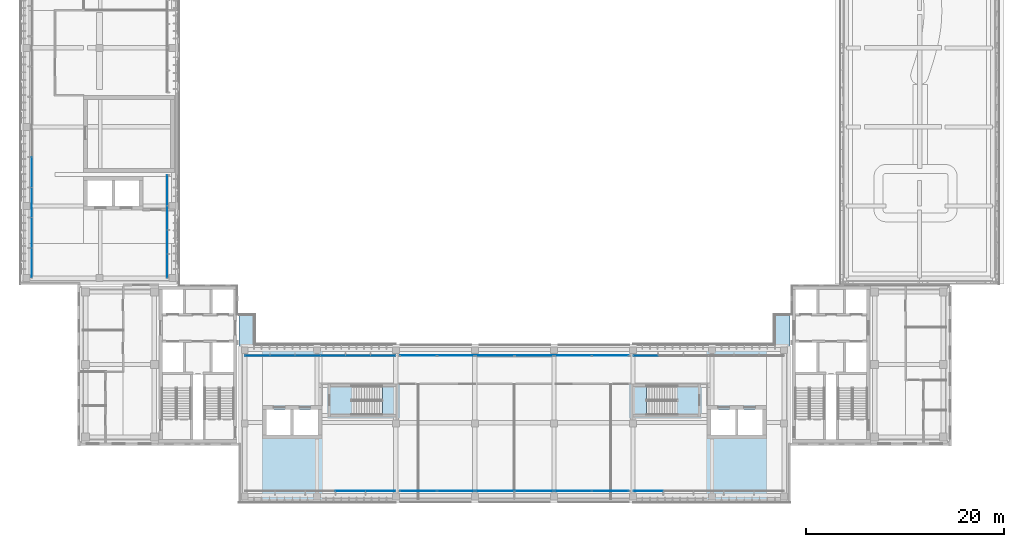
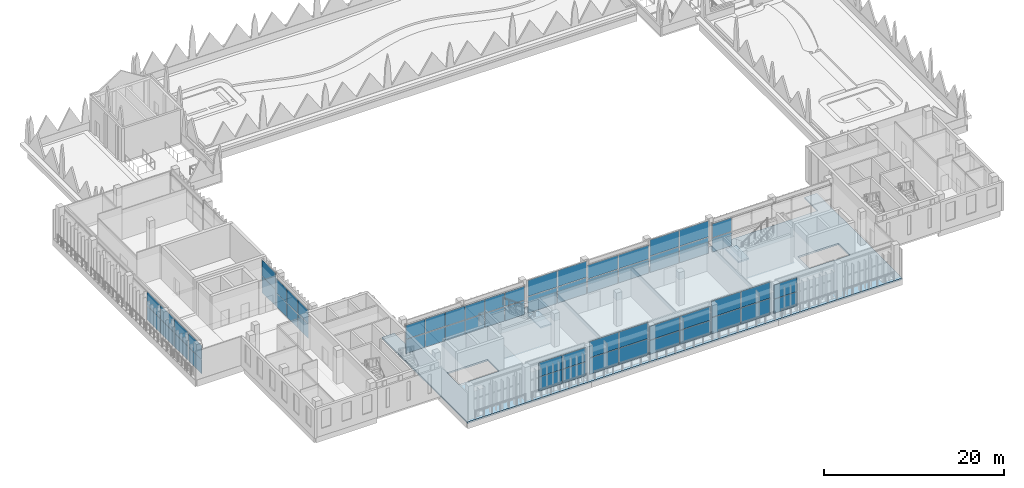
# One storey, part 20 of 46: 60 plates, 3 slabs, 15 elements without a shape of their own.
"""IFC4 building model written with IfcOpenShell, lengths in metres."""

from ifc_helpers import new_model, si_unit, direction, frame, origin, origin_2d, place, context, subcontext, project, spatial, polyline, rectangle, outline, extrude, material, layer, layer_set, type_object, element, aggregate, save


model = new_model("IFC4")

# Units and contexts
model_context = context("Model", 3, precision=1e-05, world=origin(), true_north=direction((0.0, 1.0)))
body_context = subcontext(model_context, "Body", "Model", "MODEL_VIEW")
ifc_project = project(units=[si_unit("LENGTHUNIT", "METRE"), si_unit("AREAUNIT", "SQUARE_METRE"), si_unit("VOLUMEUNIT", "CUBIC_METRE"), si_unit("PLANEANGLEUNIT", "RADIAN"), si_unit("MASSUNIT", "GRAM", prefix="KILO")], contexts=[model_context])

# Site, building, storey
site_placement = place(None, origin())
site = spatial("IfcSite", under=ifc_project, at=site_placement, CompositionType="ELEMENT")
building_placement = place(site_placement, origin())
building = spatial("IfcBuilding", under=site, at=building_placement, Name="Lantern Court Media Centre", CompositionType="ELEMENT")
storey_placement = place(building_placement, frame((0.0, 0.0, 28.800048828125)))
storey = spatial("IfcBuildingStorey", under=building, at=storey_placement, Name="L06", CompositionType="ELEMENT", Elevation=28.800048828125)

# Curtain wall, plates
ifc_material_1 = material(Name="Curtain wall bay 2400")
curtain_wall_type_1 = type_object("IfcCurtainWallType", Name="Curtain wall bay 2400", PredefinedType="NOTDEFINED", material=ifc_material_1)
curtain_wall_1_placement = place(storey_placement, origin())
curtain_wall_1 = element("IfcCurtainWall", 1, at=curtain_wall_1_placement, inside=storey, type_object=curtain_wall_type_1, Name="Curtain wall S inner L06", PredefinedType="NOTDEFINED")
ifc_material_2 = material(Name="Low-iron double glazed unit glass", Category="glass")
ifc_layer_1 = layer(ifc_material_2, 0.02392578125)
ifc_layer_set_1 = layer_set([ifc_layer_1], Name="Low-iron double glazed unit glass")
plate_type_1 = type_object("IfcPlateType", Name="Curtain wall glazing unit 24", PredefinedType="CURTAIN_PANEL", material=ifc_layer_set_1)
plate_1_placement = place(storey_placement, frame((25.987548828125, 56.85009765625, 0.050048828125), z_axis=(0.0, 0.0, 1.0), x_axis=(1.0, 0.0, 0.0)))
plate_1 = element("IfcPlate", 2, at=plate_1_placement, type_object=plate_type_1, Name="CW2 panel 1.1", PredefinedType="CURTAIN_PANEL", context=body_context, shape_type="SweptSolid", body=[
    extrude(rectangle(XDim=2.47509765625, YDim=0.02392578125, at=origin_2d()), origin(), (0.0, 0.0, 1.0), 1.89990234375),
])
plate_2_placement = place(storey_placement, frame((25.987548828125, 56.85009765625, 2.0), z_axis=(0.0, 0.0, 1.0), x_axis=(1.0, 0.0, 0.0)))
plate_2 = element("IfcPlate", 3, at=plate_2_placement, type_object=plate_type_1, Name="CW2 panel 1.2", PredefinedType="CURTAIN_PANEL", context=body_context, shape_type="SweptSolid", body=[
    extrude(rectangle(XDim=2.47509765625, YDim=0.02392578125, at=origin_2d()), origin(), (0.0, 0.0, 1.0), 1.89990234375),
])
plate_3_placement = place(storey_placement, frame((28.52490234375, 56.85009765625, 0.050048828125), z_axis=(0.0, 0.0, 1.0), x_axis=(1.0, 0.0, 0.0)))
plate_3 = element("IfcPlate", 4, at=plate_3_placement, type_object=plate_type_1, Name="CW2 panel 2.1", PredefinedType="CURTAIN_PANEL", context=body_context, shape_type="SweptSolid", body=[
    extrude(rectangle(XDim=2.5, YDim=0.02392578125, at=origin_2d()), origin(), (0.0, 0.0, 1.0), 1.89990234375),
])
plate_4_placement = place(storey_placement, frame((28.52490234375, 56.85009765625, 2.0), z_axis=(0.0, 0.0, 1.0), x_axis=(1.0, 0.0, 0.0)))
plate_4 = element("IfcPlate", 5, at=plate_4_placement, type_object=plate_type_1, Name="CW2 panel 2.2", PredefinedType="CURTAIN_PANEL", context=body_context, shape_type="SweptSolid", body=[
    extrude(rectangle(XDim=2.5, YDim=0.02392578125, at=origin_2d()), origin(), (0.0, 0.0, 1.0), 1.89990234375),
])
plate_5_placement = place(storey_placement, frame((31.074951171875, 56.85009765625, 0.050048828125), z_axis=(0.0, 0.0, 1.0), x_axis=(1.0, 0.0, 0.0)))
plate_5 = element("IfcPlate", 6, at=plate_5_placement, type_object=plate_type_1, Name="CW2 panel 3.1", PredefinedType="CURTAIN_PANEL", context=body_context, shape_type="SweptSolid", body=[
    extrude(rectangle(XDim=2.5, YDim=0.02392578125, at=origin_2d()), origin(), (0.0, 0.0, 1.0), 1.89990234375),
])
plate_6_placement = place(storey_placement, frame((31.074951171875, 56.85009765625, 2.0), z_axis=(0.0, 0.0, 1.0), x_axis=(1.0, 0.0, 0.0)))
plate_6 = element("IfcPlate", 7, at=plate_6_placement, type_object=plate_type_1, Name="CW2 panel 3.2", PredefinedType="CURTAIN_PANEL", context=body_context, shape_type="SweptSolid", body=[
    extrude(rectangle(XDim=2.5, YDim=0.02392578125, at=origin_2d()), origin(), (0.0, 0.0, 1.0), 1.89990234375),
])
plate_7_placement = place(storey_placement, frame((33.625, 56.85009765625, 0.050048828125), z_axis=(0.0, 0.0, 1.0), x_axis=(1.0, 0.0, 0.0)))
plate_7 = element("IfcPlate", 8, at=plate_7_placement, type_object=plate_type_1, Name="CW2 panel 4.1", PredefinedType="CURTAIN_PANEL", context=body_context, shape_type="SweptSolid", body=[
    extrude(rectangle(XDim=2.5, YDim=0.02392578125, at=origin_2d()), origin(), (0.0, 0.0, 1.0), 1.89990234375),
])
plate_8_placement = place(storey_placement, frame((33.625, 56.85009765625, 2.0), z_axis=(0.0, 0.0, 1.0), x_axis=(1.0, 0.0, 0.0)))
plate_8 = element("IfcPlate", 9, at=plate_8_placement, type_object=plate_type_1, Name="CW2 panel 4.2", PredefinedType="CURTAIN_PANEL", context=body_context, shape_type="SweptSolid", body=[
    extrude(rectangle(XDim=2.5, YDim=0.02392578125, at=origin_2d()), origin(), (0.0, 0.0, 1.0), 1.89990234375),
])
plate_9_placement = place(storey_placement, frame((36.175048828125, 56.85009765625, 0.050048828125), z_axis=(0.0, 0.0, 1.0), x_axis=(1.0, 0.0, 0.0)))
plate_9 = element("IfcPlate", 10, at=plate_9_placement, type_object=plate_type_1, Name="CW2 panel 5.1", PredefinedType="CURTAIN_PANEL", context=body_context, shape_type="SweptSolid", body=[
    extrude(rectangle(XDim=2.5, YDim=0.02392578125, at=origin_2d()), origin(), (0.0, 0.0, 1.0), 1.89990234375),
])
plate_10_placement = place(storey_placement, frame((36.175048828125, 56.85009765625, 2.0), z_axis=(0.0, 0.0, 1.0), x_axis=(1.0, 0.0, 0.0)))
plate_10 = element("IfcPlate", 11, at=plate_10_placement, type_object=plate_type_1, Name="CW2 panel 5.2", PredefinedType="CURTAIN_PANEL", context=body_context, shape_type="SweptSolid", body=[
    extrude(rectangle(XDim=2.5, YDim=0.02392578125, at=origin_2d()), origin(), (0.0, 0.0, 1.0), 1.89990234375),
])
plate_11_placement = place(storey_placement, frame((38.71240234375, 56.85009765625, 0.050048828125), z_axis=(0.0, 0.0, 1.0), x_axis=(1.0, 0.0, 0.0)))
plate_11 = element("IfcPlate", 12, at=plate_11_placement, type_object=plate_type_1, Name="CW2 panel 6.1", PredefinedType="CURTAIN_PANEL", context=body_context, shape_type="SweptSolid", body=[
    extrude(rectangle(XDim=2.47509765625, YDim=0.02392578125, at=origin_2d()), origin(), (0.0, 0.0, 1.0), 1.89990234375),
])
plate_12_placement = place(storey_placement, frame((38.71240234375, 56.85009765625, 2.0), z_axis=(0.0, 0.0, 1.0), x_axis=(1.0, 0.0, 0.0)))
plate_12 = element("IfcPlate", 13, at=plate_12_placement, type_object=plate_type_1, Name="CW2 panel 6.2", PredefinedType="CURTAIN_PANEL", context=body_context, shape_type="SweptSolid", body=[
    extrude(rectangle(XDim=2.47509765625, YDim=0.02392578125, at=origin_2d()), origin(), (0.0, 0.0, 1.0), 1.89990234375),
])
aggregate(curtain_wall_1, [plate_1, plate_2, plate_3, plate_4, plate_5, plate_6, plate_7, plate_8, plate_9, plate_10, plate_11, plate_12])

curtain_wall_2_placement = place(storey_placement, origin())
curtain_wall_2 = element("IfcCurtainWall", 14, at=curtain_wall_2_placement, inside=storey, type_object=curtain_wall_type_1, Name="Curtain wall S inner L06", PredefinedType="NOTDEFINED")
plate_13_placement = place(storey_placement, frame((65.28759765625, 56.85009765625, 0.050048828125), z_axis=(0.0, 0.0, 1.0), x_axis=(1.0, 0.0, 0.0)))
plate_13 = element("IfcPlate", 15, at=plate_13_placement, type_object=plate_type_1, Name="CW2 panel 1.1", PredefinedType="CURTAIN_PANEL", context=body_context, shape_type="SweptSolid", body=[
    extrude(rectangle(XDim=2.47509765625, YDim=0.02392578125, at=origin_2d()), origin(), (0.0, 0.0, 1.0), 1.89990234375),
])
plate_14_placement = place(storey_placement, frame((65.28759765625, 56.85009765625, 2.0), z_axis=(0.0, 0.0, 1.0), x_axis=(1.0, 0.0, 0.0)))
plate_14 = element("IfcPlate", 16, at=plate_14_placement, type_object=plate_type_1, Name="CW2 panel 1.2", PredefinedType="CURTAIN_PANEL", context=body_context, shape_type="SweptSolid", body=[
    extrude(rectangle(XDim=2.47509765625, YDim=0.02392578125, at=origin_2d()), origin(), (0.0, 0.0, 1.0), 1.89990234375),
])
aggregate(curtain_wall_2, [plate_13, plate_14])

curtain_wall_3_placement = place(storey_placement, origin())
curtain_wall_3 = element("IfcCurtainWall", 17, at=curtain_wall_3_placement, inside=storey, type_object=curtain_wall_type_1, Name="Curtain wall W inner L06", PredefinedType="NOTDEFINED")
plate_15_placement = place(storey_placement, frame((16.85009765625, 65.92919921875, 0.050048828125), z_axis=(0.0, 0.0, 1.0), x_axis=(0.0, 1.0, 0.0)))
plate_15 = element("IfcPlate", 18, at=plate_15_placement, type_object=plate_type_1, Name="CW2 panel 1.1", PredefinedType="CURTAIN_PANEL", context=body_context, shape_type="SweptSolid", body=[
    extrude(rectangle(XDim=2.3583984375, YDim=0.02392578125, at=origin_2d()), origin(), (0.0, 0.0, 1.0), 1.89990234375),
])
plate_16_placement = place(storey_placement, frame((16.85009765625, 65.92919921875, 2.0), z_axis=(0.0, 0.0, 1.0), x_axis=(0.0, 1.0, 0.0)))
plate_16 = element("IfcPlate", 19, at=plate_16_placement, type_object=plate_type_1, Name="CW2 panel 1.2", PredefinedType="CURTAIN_PANEL", context=body_context, shape_type="SweptSolid", body=[
    extrude(rectangle(XDim=2.3583984375, YDim=0.02392578125, at=origin_2d()), origin(), (0.0, 0.0, 1.0), 1.89990234375),
])
plate_17_placement = place(storey_placement, frame((16.85009765625, 68.35009765625, 0.050048828125), z_axis=(0.0, 0.0, 1.0), x_axis=(0.0, 1.0, 0.0)))
plate_17 = element("IfcPlate", 20, at=plate_17_placement, type_object=plate_type_1, Name="CW2 panel 2.1", PredefinedType="CURTAIN_PANEL", context=body_context, shape_type="SweptSolid", body=[
    extrude(rectangle(XDim=2.38330078125, YDim=0.02392578125, at=origin_2d()), origin(), (0.0, 0.0, 1.0), 1.89990234375),
])
plate_18_placement = place(storey_placement, frame((16.85009765625, 68.35009765625, 2.0), z_axis=(0.0, 0.0, 1.0), x_axis=(0.0, 1.0, 0.0)))
plate_18 = element("IfcPlate", 21, at=plate_18_placement, type_object=plate_type_1, Name="CW2 panel 2.2", PredefinedType="CURTAIN_PANEL", context=body_context, shape_type="SweptSolid", body=[
    extrude(rectangle(XDim=2.38330078125, YDim=0.02392578125, at=origin_2d()), origin(), (0.0, 0.0, 1.0), 1.89990234375),
])
plate_19_placement = place(storey_placement, frame((16.85009765625, 70.770751953125, 0.050048828125), z_axis=(0.0, 0.0, 1.0), x_axis=(0.0, 1.0, 0.0)))
plate_19 = element("IfcPlate", 22, at=plate_19_placement, type_object=plate_type_1, Name="CW2 panel 3.1", PredefinedType="CURTAIN_PANEL", context=body_context, shape_type="SweptSolid", body=[
    extrude(rectangle(XDim=2.3583984375, YDim=0.02392578125, at=origin_2d()), origin(), (0.0, 0.0, 1.0), 1.89990234375),
])
plate_20_placement = place(storey_placement, frame((16.85009765625, 70.770751953125, 2.0), z_axis=(0.0, 0.0, 1.0), x_axis=(0.0, 1.0, 0.0)))
plate_20 = element("IfcPlate", 23, at=plate_20_placement, type_object=plate_type_1, Name="CW2 panel 3.2", PredefinedType="CURTAIN_PANEL", context=body_context, shape_type="SweptSolid", body=[
    extrude(rectangle(XDim=2.3583984375, YDim=0.02392578125, at=origin_2d()), origin(), (0.0, 0.0, 1.0), 1.89990234375),
])
aggregate(curtain_wall_3, [plate_15, plate_16, plate_17, plate_18, plate_19, plate_20])

curtain_wall_4_placement = place(storey_placement, origin())
curtain_wall_4 = element("IfcCurtainWall", 24, at=curtain_wall_4_placement, inside=storey, type_object=curtain_wall_type_1, Name="Curtain wall W inner L06", PredefinedType="NOTDEFINED")
plate_21_placement = place(storey_placement, frame((16.85009765625, 73.574951171875, 0.0498046875), z_axis=(0.0, 0.0, 1.0), x_axis=(0.0, 1.0, 0.0)))
plate_21 = element("IfcPlate", 25, at=plate_21_placement, type_object=plate_type_1, Name="CW2 panel 1.1", PredefinedType="CURTAIN_PANEL", context=body_context, shape_type="SweptSolid", body=[
    extrude(rectangle(XDim=3.050048828125, YDim=0.02392578125, at=origin_2d()), origin(), (0.0, 0.0, 1.0), 2.215087890625),
])
plate_22_placement = place(storey_placement, frame((16.85009765625, 73.574951171875, 2.31494140625), z_axis=(0.0, 0.0, 1.0), x_axis=(0.0, 1.0, 0.0)))
plate_22 = element("IfcPlate", 26, at=plate_22_placement, type_object=plate_type_1, Name="CW2 panel 1.2", PredefinedType="CURTAIN_PANEL", context=body_context, shape_type="SweptSolid", body=[
    extrude(rectangle(XDim=3.050048828125, YDim=0.02392578125, at=origin_2d()), origin(), (0.0, 0.0, 1.0), 2.215087890625),
])
aggregate(curtain_wall_4, [plate_21, plate_22])

ifc_material_3 = material(Name="Curtain wall bay 3000")
curtain_wall_type_2 = type_object("IfcCurtainWallType", Name="Curtain wall bay 3000", PredefinedType="NOTDEFINED", material=ifc_material_3)
curtain_wall_5_placement = place(storey_placement, origin())
curtain_wall_5 = element("IfcCurtainWall", 27, at=curtain_wall_5_placement, inside=storey, type_object=curtain_wall_type_2, Name="Curtain wall S outer L06", PredefinedType="NOTDEFINED")
ifc_layer_2 = layer(ifc_material_2, 0.028076171875)
ifc_layer_set_2 = layer_set([ifc_layer_2], Name="Low-iron double glazed unit glass")
plate_type_2 = type_object("IfcPlateType", Name="Curtain wall glazing unit 28", PredefinedType="CURTAIN_PANEL", material=ifc_layer_set_2)
plate_23_placement = place(storey_placement, frame((35.409912109375, 43.14990234375, 0.06005859375), z_axis=(0.0, 0.0, 1.0), x_axis=(1.0, 0.0, 0.0)))
plate_23 = element("IfcPlate", 28, at=plate_23_placement, type_object=plate_type_2, Name="CW1 panel 4.1", PredefinedType="CURTAIN_PANEL", context=body_context, shape_type="SweptSolid", body=[
    extrude(rectangle(XDim=3.0, YDim=0.028076171875, at=origin_2d()), origin(), (0.0, 0.0, 1.0), 1.885009765625),
])
plate_24_placement = place(storey_placement, frame((35.409912109375, 43.14990234375, 2.0048828125), z_axis=(0.0, 0.0, 1.0), x_axis=(1.0, 0.0, 0.0)))
plate_24 = element("IfcPlate", 29, at=plate_24_placement, type_object=plate_type_2, Name="CW1 panel 4.2", PredefinedType="CURTAIN_PANEL", context=body_context, shape_type="SweptSolid", body=[
    extrude(rectangle(XDim=3.0, YDim=0.028076171875, at=origin_2d()), origin(), (0.0, 0.0, 1.0), 1.885009765625),
])
plate_25_placement = place(storey_placement, frame((38.455078125, 43.14990234375, 0.06005859375), z_axis=(0.0, 0.0, 1.0), x_axis=(1.0, 0.0, 0.0)))
plate_25 = element("IfcPlate", 30, at=plate_25_placement, type_object=plate_type_2, Name="CW1 panel 5.1", PredefinedType="CURTAIN_PANEL", context=body_context, shape_type="SweptSolid", body=[
    extrude(rectangle(XDim=2.969970703125, YDim=0.028076171875, at=origin_2d()), origin(), (0.0, 0.0, 1.0), 1.885009765625),
])
plate_26_placement = place(storey_placement, frame((38.455078125, 43.14990234375, 2.0048828125), z_axis=(0.0, 0.0, 1.0), x_axis=(1.0, 0.0, 0.0)))
plate_26 = element("IfcPlate", 31, at=plate_26_placement, type_object=plate_type_2, Name="CW1 panel 5.2", PredefinedType="CURTAIN_PANEL", context=body_context, shape_type="SweptSolid", body=[
    extrude(rectangle(XDim=2.969970703125, YDim=0.028076171875, at=origin_2d()), origin(), (0.0, 0.0, 1.0), 1.885009765625),
])
aggregate(curtain_wall_5, [plate_23, plate_24, plate_25, plate_26])

curtain_wall_6_placement = place(storey_placement, origin())
curtain_wall_6 = element("IfcCurtainWall", 32, at=curtain_wall_6_placement, inside=storey, type_object=curtain_wall_type_2, Name="Curtain wall S outer L06", PredefinedType="NOTDEFINED")
plate_27_placement = place(storey_placement, frame((65.544921875, 43.14990234375, 0.06005859375), z_axis=(0.0, 0.0, 1.0), x_axis=(1.0, 0.0, 0.0)))
plate_27 = element("IfcPlate", 33, at=plate_27_placement, type_object=plate_type_2, Name="CW1 panel 1.1", PredefinedType="CURTAIN_PANEL", context=body_context, shape_type="SweptSolid", body=[
    extrude(rectangle(XDim=2.969970703125, YDim=0.028076171875, at=origin_2d()), origin(), (0.0, 0.0, 1.0), 1.885009765625),
])
plate_28_placement = place(storey_placement, frame((65.544921875, 43.14990234375, 2.0048828125), z_axis=(0.0, 0.0, 1.0), x_axis=(1.0, 0.0, 0.0)))
plate_28 = element("IfcPlate", 34, at=plate_28_placement, type_object=plate_type_2, Name="CW1 panel 1.2", PredefinedType="CURTAIN_PANEL", context=body_context, shape_type="SweptSolid", body=[
    extrude(rectangle(XDim=2.969970703125, YDim=0.028076171875, at=origin_2d()), origin(), (0.0, 0.0, 1.0), 1.885009765625),
])
aggregate(curtain_wall_6, [plate_27, plate_28])

curtain_wall_7_placement = place(storey_placement, origin())
curtain_wall_7 = element("IfcCurtainWall", 35, at=curtain_wall_7_placement, inside=storey, type_object=curtain_wall_type_2, Name="Curtain wall W outer L06", PredefinedType="NOTDEFINED")
plate_29_placement = place(storey_placement, frame((3.14990234375, 66.2451171875, 0.06005859375), z_axis=(0.0, 0.0, 1.0), x_axis=(0.0, 1.0, 0.0)))
plate_29 = element("IfcPlate", 36, at=plate_29_placement, type_object=plate_type_2, Name="CW1 panel 1.1", PredefinedType="CURTAIN_PANEL", context=body_context, shape_type="SweptSolid", body=[
    extrude(rectangle(XDim=2.969970703125, YDim=0.028076171875, at=origin_2d()), origin(), (0.0, 0.0, 1.0), 1.885009765625),
])
plate_30_placement = place(storey_placement, frame((3.14990234375, 66.2451171875, 2.0048828125), z_axis=(0.0, 0.0, 1.0), x_axis=(0.0, 1.0, 0.0)))
plate_30 = element("IfcPlate", 37, at=plate_30_placement, type_object=plate_type_2, Name="CW1 panel 1.2", PredefinedType="CURTAIN_PANEL", context=body_context, shape_type="SweptSolid", body=[
    extrude(rectangle(XDim=2.969970703125, YDim=0.028076171875, at=origin_2d()), origin(), (0.0, 0.0, 1.0), 1.885009765625),
])
plate_31_placement = place(storey_placement, frame((3.14990234375, 69.2900390625, 0.06005859375), z_axis=(0.0, 0.0, 1.0), x_axis=(0.0, 1.0, 0.0)))
plate_31 = element("IfcPlate", 38, at=plate_31_placement, type_object=plate_type_2, Name="CW1 panel 2.1", PredefinedType="CURTAIN_PANEL", context=body_context, shape_type="SweptSolid", body=[
    extrude(rectangle(XDim=3.0, YDim=0.028076171875, at=origin_2d()), origin(), (0.0, 0.0, 1.0), 1.885009765625),
])
plate_32_placement = place(storey_placement, frame((3.14990234375, 69.2900390625, 2.0048828125), z_axis=(0.0, 0.0, 1.0), x_axis=(0.0, 1.0, 0.0)))
plate_32 = element("IfcPlate", 39, at=plate_32_placement, type_object=plate_type_2, Name="CW1 panel 2.2", PredefinedType="CURTAIN_PANEL", context=body_context, shape_type="SweptSolid", body=[
    extrude(rectangle(XDim=3.0, YDim=0.028076171875, at=origin_2d()), origin(), (0.0, 0.0, 1.0), 1.885009765625),
])
plate_33_placement = place(storey_placement, frame((3.14990234375, 72.35009765625, 0.06005859375), z_axis=(0.0, 0.0, 1.0), x_axis=(0.0, 1.0, 0.0)))
plate_33 = element("IfcPlate", 40, at=plate_33_placement, type_object=plate_type_2, Name="CW1 panel 3.1", PredefinedType="CURTAIN_PANEL", context=body_context, shape_type="SweptSolid", body=[
    extrude(rectangle(XDim=3.0, YDim=0.028076171875, at=origin_2d()), origin(), (0.0, 0.0, 1.0), 1.885009765625),
])
plate_34_placement = place(storey_placement, frame((3.14990234375, 72.35009765625, 2.0048828125), z_axis=(0.0, 0.0, 1.0), x_axis=(0.0, 1.0, 0.0)))
plate_34 = element("IfcPlate", 41, at=plate_34_placement, type_object=plate_type_2, Name="CW1 panel 3.2", PredefinedType="CURTAIN_PANEL", context=body_context, shape_type="SweptSolid", body=[
    extrude(rectangle(XDim=3.0, YDim=0.028076171875, at=origin_2d()), origin(), (0.0, 0.0, 1.0), 1.885009765625),
])
plate_35_placement = place(storey_placement, frame((3.14990234375, 75.409912109375, 0.06005859375), z_axis=(0.0, 0.0, 1.0), x_axis=(0.0, 1.0, 0.0)))
plate_35 = element("IfcPlate", 42, at=plate_35_placement, type_object=plate_type_2, Name="CW1 panel 4.1", PredefinedType="CURTAIN_PANEL", context=body_context, shape_type="SweptSolid", body=[
    extrude(rectangle(XDim=3.0, YDim=0.028076171875, at=origin_2d()), origin(), (0.0, 0.0, 1.0), 1.885009765625),
])
plate_36_placement = place(storey_placement, frame((3.14990234375, 75.409912109375, 2.0048828125), z_axis=(0.0, 0.0, 1.0), x_axis=(0.0, 1.0, 0.0)))
plate_36 = element("IfcPlate", 43, at=plate_36_placement, type_object=plate_type_2, Name="CW1 panel 4.2", PredefinedType="CURTAIN_PANEL", context=body_context, shape_type="SweptSolid", body=[
    extrude(rectangle(XDim=3.0, YDim=0.028076171875, at=origin_2d()), origin(), (0.0, 0.0, 1.0), 1.885009765625),
])
aggregate(curtain_wall_7, [plate_29, plate_30, plate_31, plate_32, plate_33, plate_34, plate_35, plate_36])

ifc_material_4 = material(Name="Curtain wall bay 4000")
curtain_wall_type_3 = type_object("IfcCurtainWallType", Name="Curtain wall bay 4000", PredefinedType="NOTDEFINED", material=ifc_material_4)
curtain_wall_8_placement = place(storey_placement, origin())
curtain_wall_8 = element("IfcCurtainWall", 44, at=curtain_wall_8_placement, inside=storey, type_object=curtain_wall_type_3, Name="Curtain wall S outer L06", PredefinedType="NOTDEFINED")
ifc_material_5 = material(Name="Laminated low-iron glass", Category="glass")
ifc_layer_3 = layer(ifc_material_5, 0.0400390625)
ifc_layer_set_3 = layer_set([ifc_layer_3], Name="Laminated low-iron glass")
plate_type_3 = type_object("IfcPlateType", Name="Curtain wall glazing unit 40", PredefinedType="CURTAIN_PANEL", material=ifc_layer_set_3)
plate_37_placement = place(storey_placement, frame((42.282470703125, 43.14990234375, 0.080078125), z_axis=(0.0, 0.0, 1.0), x_axis=(1.0, 0.0, 0.0)))
plate_37 = element("IfcPlate", 45, at=plate_37_placement, type_object=plate_type_3, Name="CW3 panel 1.1", PredefinedType="CURTAIN_PANEL", context=body_context, shape_type="SweptSolid", body=[
    extrude(rectangle(XDim=3.705078125, YDim=0.0400390625, at=origin_2d()), origin(), (0.0, 0.0, 1.0), 2.169921875),
])
plate_38_placement = place(storey_placement, frame((42.282470703125, 43.14990234375, 2.330078125), z_axis=(0.0, 0.0, 1.0), x_axis=(1.0, 0.0, 0.0)))
plate_38 = element("IfcPlate", 46, at=plate_38_placement, type_object=plate_type_3, Name="CW3 panel 1.2", PredefinedType="CURTAIN_PANEL", context=body_context, shape_type="SweptSolid", body=[
    extrude(rectangle(XDim=3.705078125, YDim=0.0400390625, at=origin_2d()), origin(), (0.0, 0.0, 1.0), 2.169921875),
])
plate_39_placement = place(storey_placement, frame((46.0673828125, 43.14990234375, 0.080078125), z_axis=(0.0, 0.0, 1.0), x_axis=(1.0, 0.0, 0.0)))
plate_39 = element("IfcPlate", 47, at=plate_39_placement, type_object=plate_type_3, Name="CW3 panel 2.1", PredefinedType="CURTAIN_PANEL", context=body_context, shape_type="SweptSolid", body=[
    extrude(rectangle(XDim=3.705078125, YDim=0.0400390625, at=origin_2d()), origin(), (0.0, 0.0, 1.0), 2.169921875),
])
plate_40_placement = place(storey_placement, frame((46.0673828125, 43.14990234375, 2.330078125), z_axis=(0.0, 0.0, 1.0), x_axis=(1.0, 0.0, 0.0)))
plate_40 = element("IfcPlate", 48, at=plate_40_placement, type_object=plate_type_3, Name="CW3 panel 2.2", PredefinedType="CURTAIN_PANEL", context=body_context, shape_type="SweptSolid", body=[
    extrude(rectangle(XDim=3.705078125, YDim=0.0400390625, at=origin_2d()), origin(), (0.0, 0.0, 1.0), 2.169921875),
])
aggregate(curtain_wall_8, [plate_37, plate_38, plate_39, plate_40])

curtain_wall_9_placement = place(storey_placement, origin())
curtain_wall_9 = element("IfcCurtainWall", 49, at=curtain_wall_9_placement, inside=storey, type_object=curtain_wall_type_3, Name="Curtain wall S outer L06", PredefinedType="NOTDEFINED")
plate_41_placement = place(storey_placement, frame((50.02001953125, 43.14990234375, 0.080078125), z_axis=(0.0, 0.0, 1.0), x_axis=(1.0, 0.0, 0.0)))
plate_41 = element("IfcPlate", 50, at=plate_41_placement, type_object=plate_type_3, Name="CW3 panel 1.1", PredefinedType="CURTAIN_PANEL", context=body_context, shape_type="SweptSolid", body=[
    extrude(rectangle(XDim=3.8798828125, YDim=0.0400390625, at=origin_2d()), origin(), (0.0, 0.0, 1.0), 1.85498046875),
])
plate_42_placement = place(storey_placement, frame((50.02001953125, 43.14990234375, 2.014892578125), z_axis=(0.0, 0.0, 1.0), x_axis=(1.0, 0.0, 0.0)))
plate_42 = element("IfcPlate", 51, at=plate_42_placement, type_object=plate_type_3, Name="CW3 panel 1.2", PredefinedType="CURTAIN_PANEL", context=body_context, shape_type="SweptSolid", body=[
    extrude(rectangle(XDim=3.8798828125, YDim=0.0400390625, at=origin_2d()), origin(), (0.0, 0.0, 1.0), 1.85498046875),
])
plate_43_placement = place(storey_placement, frame((53.97998046875, 43.14990234375, 0.080078125), z_axis=(0.0, 0.0, 1.0), x_axis=(1.0, 0.0, 0.0)))
plate_43 = element("IfcPlate", 52, at=plate_43_placement, type_object=plate_type_3, Name="CW3 panel 2.1", PredefinedType="CURTAIN_PANEL", context=body_context, shape_type="SweptSolid", body=[
    extrude(rectangle(XDim=3.8798828125, YDim=0.0400390625, at=origin_2d()), origin(), (0.0, 0.0, 1.0), 1.85498046875),
])
plate_44_placement = place(storey_placement, frame((53.97998046875, 43.14990234375, 2.014892578125), z_axis=(0.0, 0.0, 1.0), x_axis=(1.0, 0.0, 0.0)))
plate_44 = element("IfcPlate", 53, at=plate_44_placement, type_object=plate_type_3, Name="CW3 panel 2.2", PredefinedType="CURTAIN_PANEL", context=body_context, shape_type="SweptSolid", body=[
    extrude(rectangle(XDim=3.8798828125, YDim=0.0400390625, at=origin_2d()), origin(), (0.0, 0.0, 1.0), 1.85498046875),
])
aggregate(curtain_wall_9, [plate_41, plate_42, plate_43, plate_44])

curtain_wall_10_placement = place(storey_placement, origin())
curtain_wall_10 = element("IfcCurtainWall", 54, at=curtain_wall_10_placement, inside=storey, type_object=curtain_wall_type_3, Name="Curtain wall S outer L06", PredefinedType="NOTDEFINED")
plate_45_placement = place(storey_placement, frame((57.9326171875, 43.14990234375, 0.080078125), z_axis=(0.0, 0.0, 1.0), x_axis=(1.0, 0.0, 0.0)))
plate_45 = element("IfcPlate", 55, at=plate_45_placement, type_object=plate_type_3, Name="CW3 panel 1.1", PredefinedType="CURTAIN_PANEL", context=body_context, shape_type="SweptSolid", body=[
    extrude(rectangle(XDim=3.705078125, YDim=0.0400390625, at=origin_2d()), origin(), (0.0, 0.0, 1.0), 2.169921875),
])
plate_46_placement = place(storey_placement, frame((57.9326171875, 43.14990234375, 2.330078125), z_axis=(0.0, 0.0, 1.0), x_axis=(1.0, 0.0, 0.0)))
plate_46 = element("IfcPlate", 56, at=plate_46_placement, type_object=plate_type_3, Name="CW3 panel 1.2", PredefinedType="CURTAIN_PANEL", context=body_context, shape_type="SweptSolid", body=[
    extrude(rectangle(XDim=3.705078125, YDim=0.0400390625, at=origin_2d()), origin(), (0.0, 0.0, 1.0), 2.169921875),
])
plate_47_placement = place(storey_placement, frame((61.717529296875, 43.14990234375, 0.080078125), z_axis=(0.0, 0.0, 1.0), x_axis=(1.0, 0.0, 0.0)))
plate_47 = element("IfcPlate", 57, at=plate_47_placement, type_object=plate_type_3, Name="CW3 panel 2.1", PredefinedType="CURTAIN_PANEL", context=body_context, shape_type="SweptSolid", body=[
    extrude(rectangle(XDim=3.705078125, YDim=0.0400390625, at=origin_2d()), origin(), (0.0, 0.0, 1.0), 2.169921875),
])
plate_48_placement = place(storey_placement, frame((61.717529296875, 43.14990234375, 2.330078125), z_axis=(0.0, 0.0, 1.0), x_axis=(1.0, 0.0, 0.0)))
plate_48 = element("IfcPlate", 58, at=plate_48_placement, type_object=plate_type_3, Name="CW3 panel 2.2", PredefinedType="CURTAIN_PANEL", context=body_context, shape_type="SweptSolid", body=[
    extrude(rectangle(XDim=3.705078125, YDim=0.0400390625, at=origin_2d()), origin(), (0.0, 0.0, 1.0), 2.169921875),
])
aggregate(curtain_wall_10, [plate_45, plate_46, plate_47, plate_48])

curtain_wall_11_placement = place(storey_placement, origin())
curtain_wall_11 = element("IfcCurtainWall", 59, at=curtain_wall_11_placement, inside=storey, type_object=curtain_wall_type_3, Name="Curtain wall S inner L06", PredefinedType="NOTDEFINED")
plate_49_placement = place(storey_placement, frame((42.282470703125, 56.85009765625, 0.080078125), z_axis=(0.0, 0.0, 1.0), x_axis=(1.0, 0.0, 0.0)))
plate_49 = element("IfcPlate", 60, at=plate_49_placement, type_object=plate_type_3, Name="CW3 panel 1.1", PredefinedType="CURTAIN_PANEL", context=body_context, shape_type="SweptSolid", body=[
    extrude(rectangle(XDim=3.705078125, YDim=0.0400390625, at=origin_2d()), origin(), (0.0, 0.0, 1.0), 2.169921875),
])
plate_50_placement = place(storey_placement, frame((42.282470703125, 56.85009765625, 2.330078125), z_axis=(0.0, 0.0, 1.0), x_axis=(1.0, 0.0, 0.0)))
plate_50 = element("IfcPlate", 61, at=plate_50_placement, type_object=plate_type_3, Name="CW3 panel 1.2", PredefinedType="CURTAIN_PANEL", context=body_context, shape_type="SweptSolid", body=[
    extrude(rectangle(XDim=3.705078125, YDim=0.0400390625, at=origin_2d()), origin(), (0.0, 0.0, 1.0), 2.169921875),
])
plate_51_placement = place(storey_placement, frame((46.0673828125, 56.85009765625, 0.080078125), z_axis=(0.0, 0.0, 1.0), x_axis=(1.0, 0.0, 0.0)))
plate_51 = element("IfcPlate", 62, at=plate_51_placement, type_object=plate_type_3, Name="CW3 panel 2.1", PredefinedType="CURTAIN_PANEL", context=body_context, shape_type="SweptSolid", body=[
    extrude(rectangle(XDim=3.705078125, YDim=0.0400390625, at=origin_2d()), origin(), (0.0, 0.0, 1.0), 2.169921875),
])
plate_52_placement = place(storey_placement, frame((46.0673828125, 56.85009765625, 2.330078125), z_axis=(0.0, 0.0, 1.0), x_axis=(1.0, 0.0, 0.0)))
plate_52 = element("IfcPlate", 63, at=plate_52_placement, type_object=plate_type_3, Name="CW3 panel 2.2", PredefinedType="CURTAIN_PANEL", context=body_context, shape_type="SweptSolid", body=[
    extrude(rectangle(XDim=3.705078125, YDim=0.0400390625, at=origin_2d()), origin(), (0.0, 0.0, 1.0), 2.169921875),
])
aggregate(curtain_wall_11, [plate_49, plate_50, plate_51, plate_52])

curtain_wall_12_placement = place(storey_placement, origin())
curtain_wall_12 = element("IfcCurtainWall", 64, at=curtain_wall_12_placement, inside=storey, type_object=curtain_wall_type_3, Name="Curtain wall S inner L06", PredefinedType="NOTDEFINED")
plate_53_placement = place(storey_placement, frame((50.02001953125, 56.85009765625, 0.080078125), z_axis=(0.0, 0.0, 1.0), x_axis=(1.0, 0.0, 0.0)))
plate_53 = element("IfcPlate", 65, at=plate_53_placement, type_object=plate_type_3, Name="CW3 panel 1.1", PredefinedType="CURTAIN_PANEL", context=body_context, shape_type="SweptSolid", body=[
    extrude(rectangle(XDim=3.8798828125, YDim=0.0400390625, at=origin_2d()), origin(), (0.0, 0.0, 1.0), 1.85498046875),
])
plate_54_placement = place(storey_placement, frame((50.02001953125, 56.85009765625, 2.014892578125), z_axis=(0.0, 0.0, 1.0), x_axis=(1.0, 0.0, 0.0)))
plate_54 = element("IfcPlate", 66, at=plate_54_placement, type_object=plate_type_3, Name="CW3 panel 1.2", PredefinedType="CURTAIN_PANEL", context=body_context, shape_type="SweptSolid", body=[
    extrude(rectangle(XDim=3.8798828125, YDim=0.0400390625, at=origin_2d()), origin(), (0.0, 0.0, 1.0), 1.85498046875),
])
plate_55_placement = place(storey_placement, frame((53.97998046875, 56.85009765625, 0.080078125), z_axis=(0.0, 0.0, 1.0), x_axis=(1.0, 0.0, 0.0)))
plate_55 = element("IfcPlate", 67, at=plate_55_placement, type_object=plate_type_3, Name="CW3 panel 2.1", PredefinedType="CURTAIN_PANEL", context=body_context, shape_type="SweptSolid", body=[
    extrude(rectangle(XDim=3.8798828125, YDim=0.0400390625, at=origin_2d()), origin(), (0.0, 0.0, 1.0), 1.85498046875),
])
plate_56_placement = place(storey_placement, frame((53.97998046875, 56.85009765625, 2.014892578125), z_axis=(0.0, 0.0, 1.0), x_axis=(1.0, 0.0, 0.0)))
plate_56 = element("IfcPlate", 68, at=plate_56_placement, type_object=plate_type_3, Name="CW3 panel 2.2", PredefinedType="CURTAIN_PANEL", context=body_context, shape_type="SweptSolid", body=[
    extrude(rectangle(XDim=3.8798828125, YDim=0.0400390625, at=origin_2d()), origin(), (0.0, 0.0, 1.0), 1.85498046875),
])
aggregate(curtain_wall_12, [plate_53, plate_54, plate_55, plate_56])

curtain_wall_13_placement = place(storey_placement, origin())
curtain_wall_13 = element("IfcCurtainWall", 69, at=curtain_wall_13_placement, inside=storey, type_object=curtain_wall_type_3, Name="Curtain wall S inner L06", PredefinedType="NOTDEFINED")
plate_57_placement = place(storey_placement, frame((57.9326171875, 56.85009765625, 0.080078125), z_axis=(0.0, 0.0, 1.0), x_axis=(1.0, 0.0, 0.0)))
plate_57 = element("IfcPlate", 70, at=plate_57_placement, type_object=plate_type_3, Name="CW3 panel 1.1", PredefinedType="CURTAIN_PANEL", context=body_context, shape_type="SweptSolid", body=[
    extrude(rectangle(XDim=3.705078125, YDim=0.0400390625, at=origin_2d()), origin(), (0.0, 0.0, 1.0), 2.169921875),
])
plate_58_placement = place(storey_placement, frame((57.9326171875, 56.85009765625, 2.330078125), z_axis=(0.0, 0.0, 1.0), x_axis=(1.0, 0.0, 0.0)))
plate_58 = element("IfcPlate", 71, at=plate_58_placement, type_object=plate_type_3, Name="CW3 panel 1.2", PredefinedType="CURTAIN_PANEL", context=body_context, shape_type="SweptSolid", body=[
    extrude(rectangle(XDim=3.705078125, YDim=0.0400390625, at=origin_2d()), origin(), (0.0, 0.0, 1.0), 2.169921875),
])
plate_59_placement = place(storey_placement, frame((61.717529296875, 56.85009765625, 0.080078125), z_axis=(0.0, 0.0, 1.0), x_axis=(1.0, 0.0, 0.0)))
plate_59 = element("IfcPlate", 72, at=plate_59_placement, type_object=plate_type_3, Name="CW3 panel 2.1", PredefinedType="CURTAIN_PANEL", context=body_context, shape_type="SweptSolid", body=[
    extrude(rectangle(XDim=3.705078125, YDim=0.0400390625, at=origin_2d()), origin(), (0.0, 0.0, 1.0), 2.169921875),
])
plate_60_placement = place(storey_placement, frame((61.717529296875, 56.85009765625, 2.330078125), z_axis=(0.0, 0.0, 1.0), x_axis=(1.0, 0.0, 0.0)))
plate_60 = element("IfcPlate", 73, at=plate_60_placement, type_object=plate_type_3, Name="CW3 panel 2.2", PredefinedType="CURTAIN_PANEL", context=body_context, shape_type="SweptSolid", body=[
    extrude(rectangle(XDim=3.705078125, YDim=0.0400390625, at=origin_2d()), origin(), (0.0, 0.0, 1.0), 2.169921875),
])
aggregate(curtain_wall_13, [plate_57, plate_58, plate_59, plate_60])

# Slab
ifc_material_6 = material(Name="Concrete C35", Category="concrete")
ifc_layer_4 = layer(ifc_material_6, 0.219970703125)
ifc_layer_set_4 = layer_set([ifc_layer_4], Name="Concrete C35")
slab_type_1 = type_object("IfcSlabType", Name="RC FLOOR SLAB 220", PredefinedType="FLOOR", material=ifc_layer_set_4)
slab_1_placement = place(storey_placement, frame((0.0, 0.0, -0.219970703125)))
element("IfcSlab", 74, at=slab_1_placement, inside=storey, type_object=slab_type_1, Name="SL-S-L06", PredefinedType="FLOOR", context=body_context, shape_type="SweptSolid", body=[
    extrude(outline(polyline([(24.10009765625, 58.0), (24.10009765625, 61.0), (25.699951171875, 61.0), (25.699951171875, 58.0), (78.300048828125, 58.0), (78.300048828125, 61.0), (79.89990234375, 61.0), (79.89990234375, 58.0), (79.89990234375, 42.0), (24.10009765625, 42.0), (24.10009765625, 58.0)]), holes=[polyline([(32.10009765625, 51.39990234375), (26.89990234375, 51.39990234375), (26.89990234375, 48.800048828125), (32.10009765625, 48.800048828125), (32.10009765625, 51.39990234375)]), polyline([(77.10009765625, 51.39990234375), (71.89990234375, 51.39990234375), (71.89990234375, 48.800048828125), (77.10009765625, 48.800048828125), (77.10009765625, 51.39990234375)])]), origin(), (0.0, 0.0, 1.0), 0.219970703125),
])

# Stair, slab
ifc_material_7 = material(Name="Concrete C40", Category="concrete")
stair_type = type_object("IfcStairType", Name="Exit stair 1350", PredefinedType="HALF_TURN_STAIR", material=ifc_material_7)
stair_1_placement = place(storey_placement, origin())
stair_1 = element("IfcStair", 75, at=stair_1_placement, inside=storey, type_object=stair_type, Name="L06 V3-ST-W exit stair", PredefinedType="HALF_TURN_STAIR")
ifc_layer_5 = layer(ifc_material_7, 0.199951171875)
ifc_layer_set_5 = layer_set([ifc_layer_5], Name="Concrete C40")
slab_type_2 = type_object("IfcSlabType", Name="Stair landing RC 200", PredefinedType="LANDING", material=ifc_layer_set_5)
slab_2_placement = place(storey_placement, frame((0.0, 0.0, 2.199951171875)))
slab_2 = element("IfcSlab", 76, at=slab_2_placement, type_object=slab_type_2, Name="ST-V3-ST-W landing 1", PredefinedType="LANDING", context=body_context, shape_type="SweptSolid", body=[
    extrude(outline(polyline([(38.6201171875, 50.89990234375), (40.0, 50.89990234375), (40.0, 53.75), (38.6201171875, 53.75), (38.6201171875, 50.89990234375)])), origin(), (0.0, 0.0, 1.0), 0.199951171875),
])
aggregate(stair_1, [slab_2])

stair_2_placement = place(storey_placement, origin())
stair_2 = element("IfcStair", 77, at=stair_2_placement, inside=storey, type_object=stair_type, Name="L06 V3-ST-E exit stair", PredefinedType="HALF_TURN_STAIR")
slab_3_placement = place(storey_placement, frame((0.0, 0.0, 2.199951171875)))
slab_3 = element("IfcSlab", 78, at=slab_3_placement, type_object=slab_type_2, Name="ST-V3-ST-E landing 1", PredefinedType="LANDING", context=body_context, shape_type="SweptSolid", body=[
    extrude(outline(polyline([(65.3798828125, 53.75), (64.0, 53.75), (64.0, 50.89990234375), (65.3798828125, 50.89990234375), (65.3798828125, 53.75)])), origin(), (0.0, 0.0, 1.0), 0.199951171875),
])
aggregate(stair_2, [slab_3])

save(model, "model.ifc")
